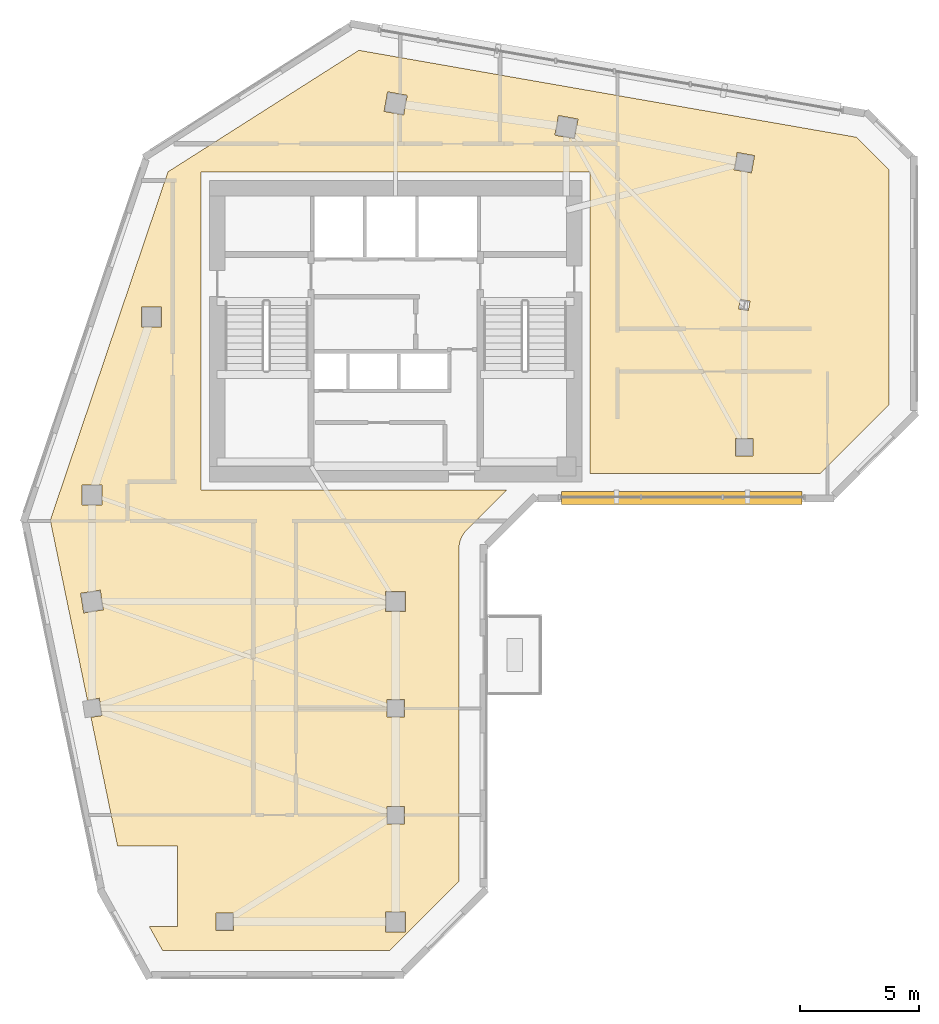
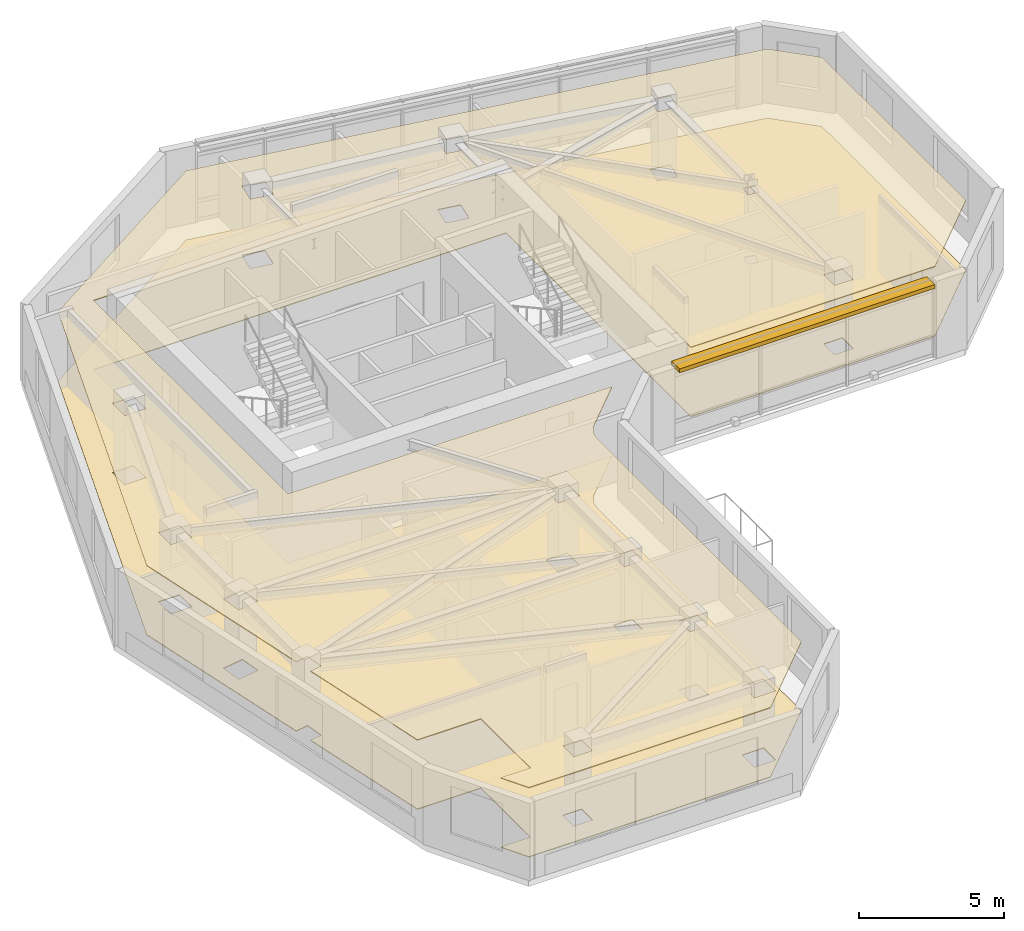
# One storey, part 8 of 9: 2 coverings, 1 shading device.
"""IFC4 building model written with IfcOpenShell, lengths in metres."""

from ifc_helpers import new_model, si_unit, direction, frame, frame_2d, origin, place, context, subcontext, project, spatial, polyline, rectangle, outline, extrude, material, layer, layer_set, type_object, element, save


model = new_model("IFC4")

# Units and contexts
model_context = context("Model", 3, precision=1e-05, world=origin(), true_north=direction((0.0, 1.0)))
body_context = subcontext(model_context, "Body", "Model", "MODEL_VIEW")
ifc_project = project(units=[si_unit("LENGTHUNIT", "METRE"), si_unit("AREAUNIT", "SQUARE_METRE"), si_unit("VOLUMEUNIT", "CUBIC_METRE"), si_unit("PLANEANGLEUNIT", "RADIAN"), si_unit("MASSUNIT", "GRAM", prefix="KILO")], contexts=[model_context])

# Site, building, storey
site_placement = place(None, origin())
site = spatial("IfcSite", under=ifc_project, at=site_placement, CompositionType="ELEMENT")
building_placement = place(site_placement, origin())
building = spatial("IfcBuilding", under=site, at=building_placement, Name="Calvemar Wedge Station Tower", CompositionType="ELEMENT")
storey_placement = place(building_placement, frame((0.0, 0.0, 235.89990234375)))
storey = spatial("IfcBuildingStorey", under=building, at=storey_placement, Name="L60", CompositionType="ELEMENT", Elevation=235.89990234375)

# Coverings
ifc_material_1 = material(Name="Moisture-resistant gypsum ceiling")
ifc_layer_1 = layer(ifc_material_1, 0.0400390625)
ifc_layer_set_1 = layer_set([ifc_layer_1], Name="Moisture-resistant gypsum ceiling")
covering_type_1 = type_object("IfcCoveringType", Name="COV-CEIL-GYPSUM", PredefinedType="CEILING", material=ifc_layer_set_1)
covering_1_placement = place(storey_placement, frame((0.0, 0.0, 2.900146484375)))
element("IfcCovering", 1, at=covering_1_placement, inside=storey, type_object=covering_type_1, Name="Storey L60 Acoustic Suspended Ceiling", PredefinedType="CEILING", context=body_context, shape_type="SweptSolid", body=[
    extrude(outline(polyline([(26.666259765625, 31.358642578125), (26.736328125, 31.453369140625), (26.8154296875, 31.54052734375), (28.474853515625, 33.199951171875), (15.60009765625, 33.199951171875), (15.60009765625, 46.60009765625), (32.0, 46.60009765625), (32.0, 33.89208984375), (41.702880859375, 33.89208984375), (44.60009765625, 36.7890625), (44.60009765625, 46.69482421875), (43.2197265625, 48.0751953125), (22.251708984375, 51.73779296875), (14.201416015625, 46.614990234375), (9.240966796875, 31.92431640625), (10.806884765625, 24.34375), (11.306884765625, 24.423828125), (11.423828125, 23.693115234375), (10.956787109375, 23.618408203125), (12.076171875, 18.199951171875), (14.60009765625, 18.199951171875), (14.60009765625, 14.800048828125), (13.41455078125, 14.800048828125), (13.97021484375, 13.800048828125), (23.56689453125, 13.800048828125), (26.464111328125, 16.697021484375), (26.464111328125, 30.69189453125), (26.4697265625, 30.8095703125), (26.487060546875, 30.926025390625), (26.515625, 31.040283203125), (26.555419921875, 31.151123046875), (26.605712890625, 31.2578125), (26.666259765625, 31.358642578125)]), holes=[polyline([(11.419921875, 33.419921875), (11.419921875, 32.580078125), (10.580078125, 32.580078125), (10.580078125, 33.419921875), (11.419921875, 33.419921875)]), polyline([(13.919921875, 40.080078125), (13.080078125, 40.080078125), (13.080078125, 40.919921875), (13.919921875, 40.919921875), (13.919921875, 40.080078125)]), polyline([(23.312255859375, 49.160888671875), (23.4609375, 49.98779296875), (24.28759765625, 49.839111328125), (24.138916015625, 49.01220703125), (23.312255859375, 49.160888671875)]), polyline([(30.660888671875, 48.98779296875), (31.48779296875, 48.839111328125), (31.339111328125, 48.01220703125), (30.51220703125, 48.160888671875), (30.660888671875, 48.98779296875)]), polyline([(38.9296875, 47.298583984375), (38.798583984375, 46.5703125), (38.0703125, 46.701416015625), (38.201416015625, 47.4296875), (38.9296875, 47.298583984375)]), polyline([(38.8701171875, 34.6298828125), (38.1298828125, 34.6298828125), (38.1298828125, 35.3701171875), (38.8701171875, 35.3701171875), (38.8701171875, 34.6298828125)]), polyline([(38.259765625, 40.833984375), (38.332763671875, 41.239501953125), (38.740234375, 41.166015625), (38.667236328125, 40.760498046875), (38.259765625, 40.833984375)]), polyline([(11.348388671875, 28.981201171875), (11.481201171875, 28.151611328125), (10.651611328125, 28.018798828125), (10.518798828125, 28.848388671875), (11.348388671875, 28.981201171875)]), polyline([(24.219970703125, 28.080078125), (23.3798828125, 28.080078125), (23.3798828125, 28.919921875), (24.219970703125, 28.919921875), (24.219970703125, 28.080078125)]), polyline([(23.429931640625, 23.6298828125), (23.429931640625, 24.3701171875), (24.169921875, 24.3701171875), (24.169921875, 23.6298828125), (23.429931640625, 23.6298828125)]), polyline([(23.429931640625, 19.8701171875), (24.169921875, 19.8701171875), (24.169921875, 19.1298828125), (23.429931640625, 19.1298828125), (23.429931640625, 19.8701171875)]), polyline([(24.219970703125, 15.419921875), (24.219970703125, 14.580078125), (23.3798828125, 14.580078125), (23.3798828125, 15.419921875), (24.219970703125, 15.419921875)]), polyline([(16.969970703125, 14.6298828125), (16.22998046875, 14.6298828125), (16.22998046875, 15.3701171875), (16.969970703125, 15.3701171875), (16.969970703125, 14.6298828125)])]), origin(), (0.0, 0.0, 1.0), 0.0400390625),
])
ifc_material_2 = material(Name="Honed coastal granite stone tile", Category="masonry")
ifc_layer_2 = layer(ifc_material_2, 0.030029296875)
ifc_layer_set_2 = layer_set([ifc_layer_2], Name="Honed coastal granite stone tile")
covering_type_2 = type_object("IfcCoveringType", Name="COV-FLR-STONE", PredefinedType="FLOORING", material=ifc_layer_set_2)
covering_2_placement = place(storey_placement, origin())
element("IfcCovering", 2, at=covering_2_placement, inside=storey, type_object=covering_type_2, Name="Storey L60 Architectural Floor Finish", PredefinedType="FLOORING", context=body_context, shape_type="SweptSolid", body=[
    extrude(outline(polyline([(26.666259765625, 31.358642578125), (26.736328125, 31.453369140625), (26.8154296875, 31.54052734375), (28.474853515625, 33.199951171875), (15.60009765625, 33.199951171875), (15.60009765625, 46.60009765625), (32.0, 46.60009765625), (32.0, 33.89208984375), (41.702880859375, 33.89208984375), (44.60009765625, 36.7890625), (44.60009765625, 46.69482421875), (43.2197265625, 48.0751953125), (22.251708984375, 51.73779296875), (14.201416015625, 46.614990234375), (9.240966796875, 31.92431640625), (10.806884765625, 24.34375), (11.306884765625, 24.423828125), (11.423828125, 23.693115234375), (10.956787109375, 23.618408203125), (12.076171875, 18.199951171875), (14.60009765625, 18.199951171875), (14.60009765625, 14.800048828125), (13.41455078125, 14.800048828125), (13.97021484375, 13.800048828125), (23.56689453125, 13.800048828125), (26.464111328125, 16.697021484375), (26.464111328125, 30.69189453125), (26.4697265625, 30.8095703125), (26.487060546875, 30.926025390625), (26.515625, 31.040283203125), (26.555419921875, 31.151123046875), (26.605712890625, 31.2578125), (26.666259765625, 31.358642578125)]), holes=[polyline([(11.419921875, 33.419921875), (11.419921875, 32.580078125), (10.580078125, 32.580078125), (10.580078125, 33.419921875), (11.419921875, 33.419921875)]), polyline([(13.919921875, 40.080078125), (13.080078125, 40.080078125), (13.080078125, 40.919921875), (13.919921875, 40.919921875), (13.919921875, 40.080078125)]), polyline([(23.312255859375, 49.160888671875), (23.4609375, 49.98779296875), (24.28759765625, 49.839111328125), (24.138916015625, 49.01220703125), (23.312255859375, 49.160888671875)]), polyline([(30.660888671875, 48.98779296875), (31.48779296875, 48.839111328125), (31.339111328125, 48.01220703125), (30.51220703125, 48.160888671875), (30.660888671875, 48.98779296875)]), polyline([(38.9296875, 47.298583984375), (38.798583984375, 46.5703125), (38.0703125, 46.701416015625), (38.201416015625, 47.4296875), (38.9296875, 47.298583984375)]), polyline([(38.8701171875, 34.6298828125), (38.1298828125, 34.6298828125), (38.1298828125, 35.3701171875), (38.8701171875, 35.3701171875), (38.8701171875, 34.6298828125)]), polyline([(38.259765625, 40.833984375), (38.332763671875, 41.239501953125), (38.740234375, 41.166015625), (38.667236328125, 40.760498046875), (38.259765625, 40.833984375)]), polyline([(11.348388671875, 28.981201171875), (11.481201171875, 28.151611328125), (10.651611328125, 28.018798828125), (10.518798828125, 28.848388671875), (11.348388671875, 28.981201171875)]), polyline([(24.219970703125, 28.080078125), (23.3798828125, 28.080078125), (23.3798828125, 28.919921875), (24.219970703125, 28.919921875), (24.219970703125, 28.080078125)]), polyline([(23.429931640625, 23.6298828125), (23.429931640625, 24.3701171875), (24.169921875, 24.3701171875), (24.169921875, 23.6298828125), (23.429931640625, 23.6298828125)]), polyline([(23.429931640625, 19.8701171875), (24.169921875, 19.8701171875), (24.169921875, 19.1298828125), (23.429931640625, 19.1298828125), (23.429931640625, 19.8701171875)]), polyline([(24.219970703125, 15.419921875), (24.219970703125, 14.580078125), (23.3798828125, 14.580078125), (23.3798828125, 15.419921875), (24.219970703125, 15.419921875)]), polyline([(16.969970703125, 14.6298828125), (16.22998046875, 14.6298828125), (16.22998046875, 15.3701171875), (16.969970703125, 15.3701171875), (16.969970703125, 14.6298828125)])]), origin(), (0.0, 0.0, 1.0), 0.030029296875),
])

# Shading device
ifc_material_3 = material(Name="Precast concrete C45", Category="concrete")
shading_device_type = type_object("IfcShadingDeviceType", Name="SHD-EYEBROW-1", PredefinedType="SHUTTER", material=ifc_material_3)
shading_device_placement = place(storey_placement, frame((30.802001953125, 32.862060546875, 3.070068359375), z_axis=(0.0, 0.0, 1.0), x_axis=(1.0, 0.0, 0.0)))
element("IfcShadingDevice", 3, at=shading_device_placement, inside=storey, type_object=shading_device_type, Name="Storey L60 Bronze GFRC Solar Eyebrow 6", PredefinedType="SHUTTER", context=body_context, shape_type="SweptSolid", body=[
    extrude(rectangle(XDim=10.135986328125, YDim=0.550048828125, at=frame_2d((5.06787109375, 0.0))), origin(), (0.0, 0.0, 1.0), 0.159912109375),
])

save(model, "model.ifc")
